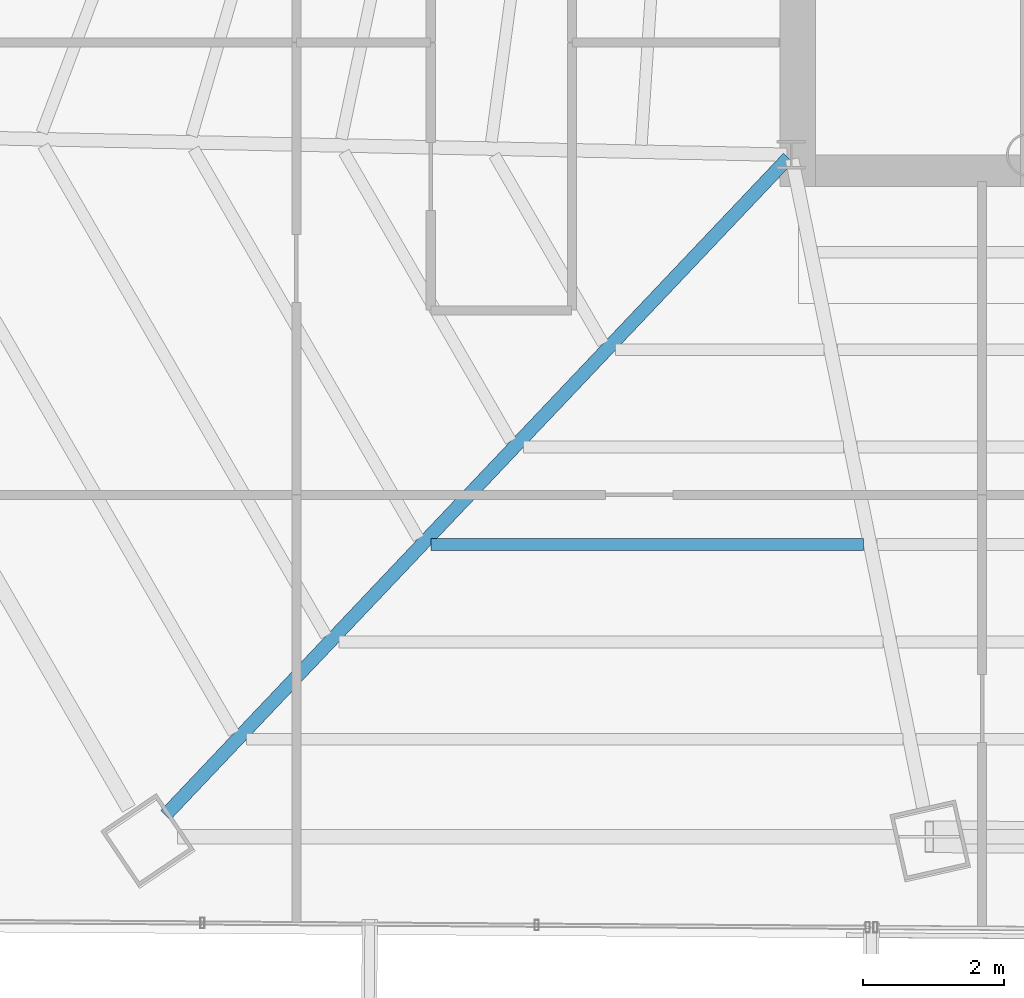
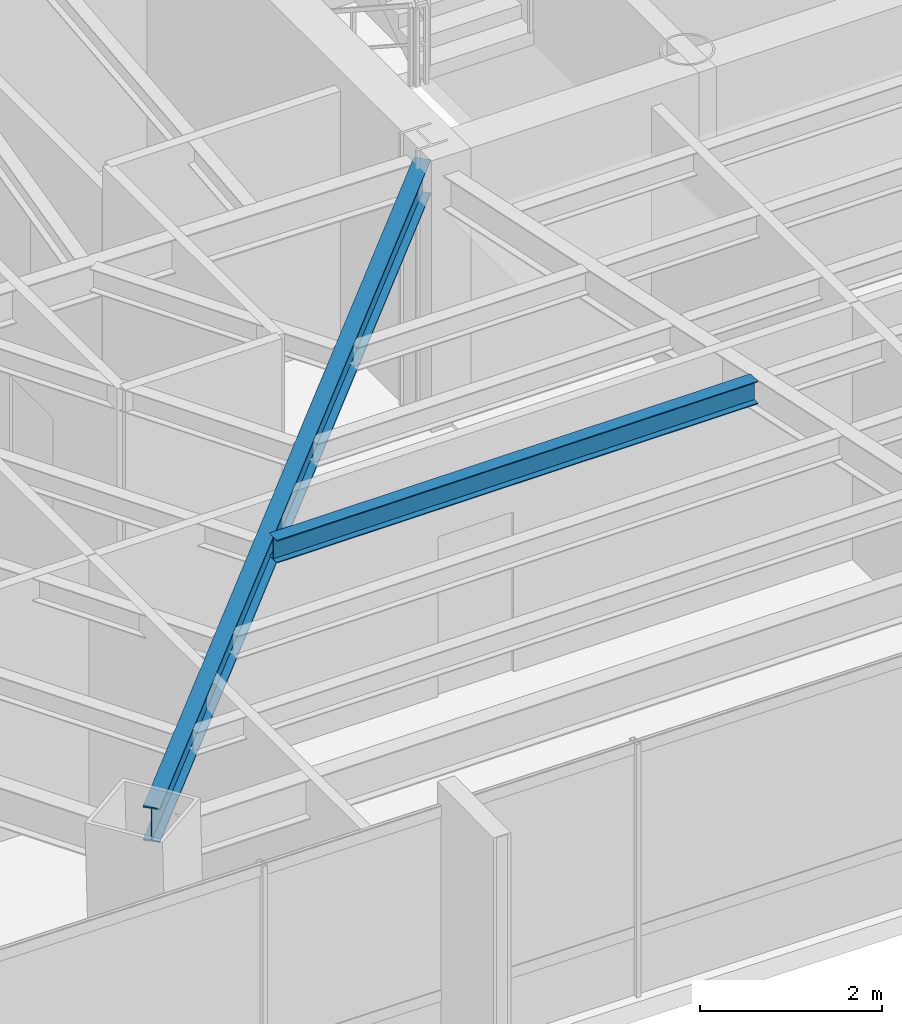
# One storey, part 5 of 41: 2 beams.
"""IFC4 building model written with IfcOpenShell, lengths in metres."""

from ifc_helpers import new_model, si_unit, direction, frame, origin, origin_2d, place, context, subcontext, project, spatial, i_section, extrude, source, transform, mapped, material, material_profile, profile_set, type_object, type_shapes, element, save


model = new_model("IFC4")

# Units and contexts
model_context = context("Model", 3, precision=1e-05, world=origin(), true_north=direction((0.0, 1.0)))
body_context = subcontext(model_context, "Body", "Model", "MODEL_VIEW")
ifc_project = project(units=[si_unit("LENGTHUNIT", "METRE"), si_unit("AREAUNIT", "SQUARE_METRE"), si_unit("VOLUMEUNIT", "CUBIC_METRE"), si_unit("PLANEANGLEUNIT", "RADIAN"), si_unit("MASSUNIT", "GRAM", prefix="KILO")], contexts=[model_context])

# Site, building, storey
site_placement = place(None, origin())
site = spatial("IfcSite", under=ifc_project, at=site_placement, CompositionType="ELEMENT")
building_placement = place(site_placement, origin())
building = spatial("IfcBuilding", under=site, at=building_placement, Name="Caelisora Broadcast Tower", CompositionType="ELEMENT")
storey_placement = place(building_placement, frame((0.0, 0.0, 173.10009765625)))
storey = spatial("IfcBuildingStorey", under=building, at=storey_placement, Name="L45", CompositionType="ELEMENT", Elevation=173.10009765625)

# Beams
ifc_material = material(Name="Steel Grade 350 (AS/NZS 3679.1)", Category="steel")
ifc_material_profile_1 = material_profile(ifc_material, i_section(OverallWidth=0.19091796875, OverallDepth=0.46044921875, WebThickness=0.010009765625, FlangeThickness=0.01611328125, at=origin_2d()), Name="Steel Grade 350 (AS/NZS 3679.1)")
ifc_profile_set_1 = profile_set([ifc_material_profile_1], Name="Steel Grade 350 (AS/NZS 3679.1)")
beam_type_1 = type_object("IfcBeamType", Name="PG06", PredefinedType="BEAM", material=ifc_profile_set_1)
shared_shape_1 = source(origin(), body_context, "Body", "SweptSolid", [
    extrude(i_section(OverallWidth=0.19091796875, OverallDepth=0.46044921875, WebThickness=0.010009765625, FlangeThickness=0.01611328125, at=origin_2d()), origin(), (0.0, 0.0, 1.0), 12.80908203125),
])
type_shapes(beam_type_1, [shared_shape_1])
beam_1_placement = place(storey_placement, frame((30.458740234375, 17.3564453125, 3.169677734375), z_axis=(-0.687868345795, -0.725835476436, 0.0), x_axis=(0.725835476436, -0.687868345795, 0.0)))
element("IfcBeam", 1, at=beam_1_placement, inside=storey, type_object=beam_type_1, Name="L45 beam PG06", PredefinedType="BEAM", context=body_context, shape_type="MappedRepresentation", body=[
    mapped(shared_shape_1, transform((0.0, 0.0, 0.0), scale=1.0)),
])
ifc_material_profile_2 = material_profile(ifc_material, i_section(OverallWidth=0.166015625, OverallDepth=0.30712890625, WebThickness=0.006591796875, FlangeThickness=0.01171875, at=origin_2d()), Name="Steel Grade 350 (AS/NZS 3679.1)")
ifc_profile_set_2 = profile_set([ifc_material_profile_2], Name="Steel Grade 350 (AS/NZS 3679.1)")
beam_type_2 = type_object("IfcBeamType", Name="SB03", PredefinedType="JOIST", material=ifc_profile_set_2)
shared_shape_2 = source(origin(), body_context, "Body", "SweptSolid", [
    extrude(i_section(OverallWidth=0.166015625, OverallDepth=0.30712890625, WebThickness=0.006591796875, FlangeThickness=0.01171875, at=origin_2d()), origin(), (0.0, 0.0, 1.0), 6.116455078125),
])
type_shapes(beam_type_2, [shared_shape_2])
beam_2_placement = place(storey_placement, frame((25.405029296875, 11.88818359375, 3.246337890625), z_axis=(1.0, 0.0, 0.0), x_axis=(0.0, 1.0, 0.0)))
element("IfcBeam", 2, at=beam_2_placement, inside=storey, type_object=beam_type_2, Name="L45 beam SB03", PredefinedType="JOIST", context=body_context, shape_type="MappedRepresentation", body=[
    mapped(shared_shape_2, transform((0.0, 0.0, 0.0), scale=1.0)),
])

save(model, "model.ifc")
